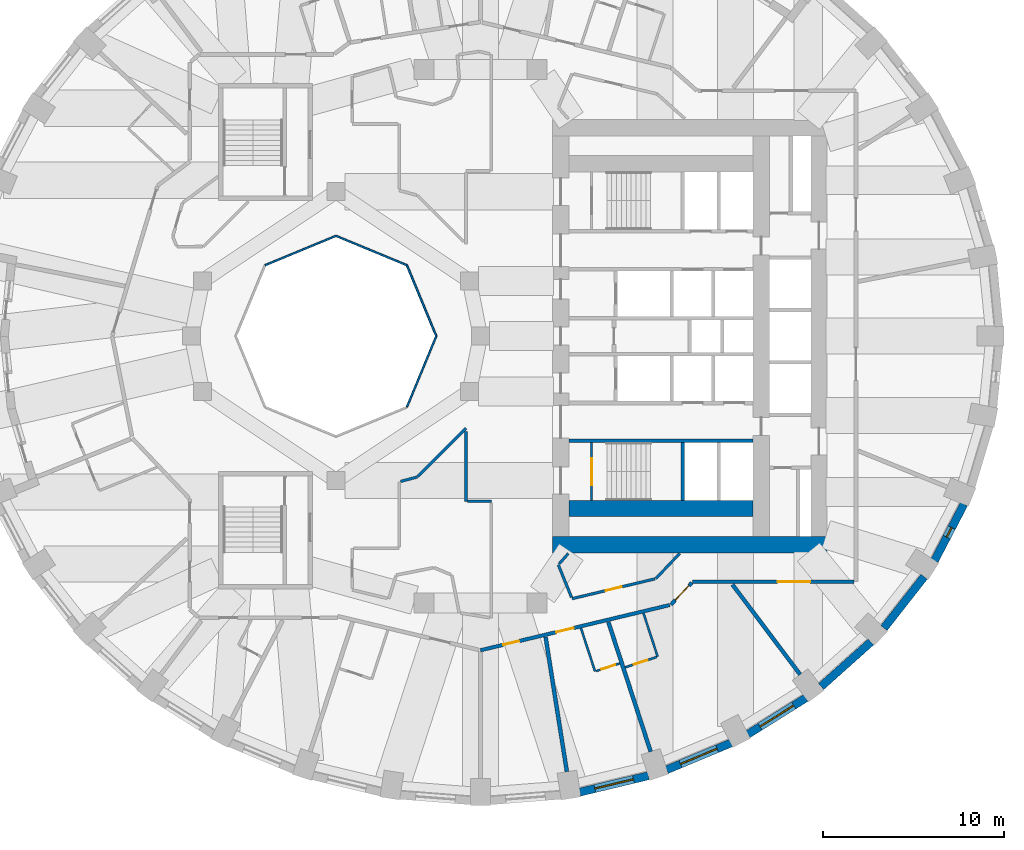
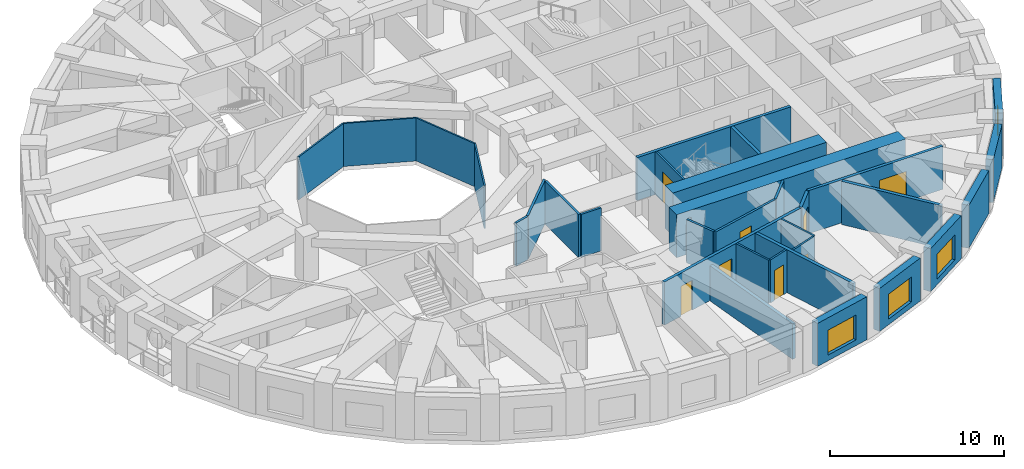
# One storey, part 5 of 14: 33 walls, 8 doors, 4 windows, 12 openings.
"""IFC4 building model written with IfcOpenShell, lengths in metres."""

from ifc_helpers import new_model, si_unit, direction, frame, frame_2d, origin, place, context, subcontext, project, spatial, rectangle, extrude, material, layer, layer_set, type_object, element, fill, save


model = new_model("IFC4")

# Units and contexts
model_context = context("Model", 3, precision=1e-05, world=origin(), true_north=direction((0.0, 1.0)))
body_context = subcontext(model_context, "Body", "Model", "MODEL_VIEW")
ifc_project = project(units=[si_unit("LENGTHUNIT", "METRE"), si_unit("AREAUNIT", "SQUARE_METRE"), si_unit("VOLUMEUNIT", "CUBIC_METRE"), si_unit("PLANEANGLEUNIT", "RADIAN"), si_unit("MASSUNIT", "GRAM", prefix="KILO")], contexts=[model_context])

# Site, building, storey
site_placement = place(None, origin())
site = spatial("IfcSite", under=ifc_project, at=site_placement, CompositionType="ELEMENT")
building_placement = place(site_placement, origin())
building = spatial("IfcBuilding", under=site, at=building_placement, Name="Taillehof Tower", CompositionType="ELEMENT")
storey_placement = place(building_placement, frame((0.0, 0.0, 21.699951171875)))
storey = spatial("IfcBuildingStorey", under=building, at=storey_placement, Name="L04", CompositionType="ELEMENT", Elevation=21.699951171875)

# Walls
ifc_material_1 = material(Name="Fire-resisting glass in steel frame", Category="steel")
ifc_layer_1 = layer(ifc_material_1, 0.10009765625)
ifc_layer_set_1 = layer_set([ifc_layer_1], Name="Atrium fire-resisting screen EI 60 100")
wall_type_1 = type_object("IfcWallType", Name="Atrium fire-resisting screen EI 60 100", PredefinedType="PARTITIONING", material=ifc_layer_set_1)
for number, where, z_axis, x_axis, name in (
    (1, (-2.44580078125, 0.0, 0.0), (0.0, 0.0, 1.0), (-0.382730523909, -0.923860025149, 0.0), "Atrium screen"),
    (2, (-11.92724609375, 3.92724609375, 0.0), (0.0, 0.0, 1.0), (0.923860025149, 0.382730523909, 0.0), "Atrium screen"),
    (3, (-8.0, 5.55419921875, 0.0), (0.0, 0.0, 1.0), (0.923860025149, -0.382730523909, 0.0), "Atrium screen"),
    (4, (-4.07275390625, 3.92724609375, 0.0), (0.0, 0.0, 1.0), (0.382730523909, -0.923860025149, 0.0), "Atrium screen"),
):
    element("IfcWall", number, at=place(storey_placement, frame(where, z_axis=z_axis, x_axis=x_axis)), inside=storey, type_object=wall_type_1, Name=name, PredefinedType="PARTITIONING", context=body_context, shape_type="SweptSolid", body=[
        extrude(rectangle(XDim=4.2509765625, YDim=0.10009765625, at=frame_2d((2.12548828125, 0.0))), origin(), (0.0, 0.0, 1.0), 3.02001953125),
    ])

# Wall, opening, window
ifc_material_2 = material(Name="Brick masonry", Category="masonry")
ifc_layer_2 = layer(ifc_material_2, 0.449951171875)
ifc_layer_set_2 = layer_set([ifc_layer_2], Name="Brick infill wall 450")
wall_type_2 = type_object("IfcWallType", Name="Brick infill wall 450", PredefinedType="SOLIDWALL", material=ifc_layer_set_2)
wall_1_placement = place(storey_placement, frame((5.50439453125, -25.260498046875, 0.0), z_axis=(0.0, 0.0, 1.0), x_axis=(0.972496561493, 0.232917233979, 0.0)))
wall_1 = element("IfcWall", 5, at=wall_1_placement, inside=storey, type_object=wall_type_2, Name="Brick wall L04 bay 29", PredefinedType="SOLIDWALL", context=body_context, shape_type="SweptSolid", body=[
    extrude(rectangle(XDim=3.910888671875, YDim=0.449951171875, at=frame_2d((1.95556640625, 0.0))), origin(), (0.0, 0.0, 1.0), 3.02001953125),
])
opening_1_placement = place(wall_1_placement, frame((0.855224609375, 0.0, 0.39990234375)))
opening_1 = element("IfcOpeningElement", 6, at=opening_1_placement, cuts=wall_1, Name="Opening W1", PredefinedType="OPENING", context=body_context, shape_type="SweptSolid", body=[
    extrude(rectangle(XDim=2.199951171875, YDim=1.75, at=frame_2d((1.10009765625, 0.875))), frame((0.0, 0.23486328125, 0.0), z_axis=(0.0, -1.0, 0.0), x_axis=(1.0, 0.0, 0.0)), (0.0, 0.0, 1.0), 0.469970703125),
])
ifc_material_3 = material(Name="Aluminium window frame with clear double glazing", Category="aluminium")
window_type_1 = type_object("IfcWindowType", Name="Deep-set window 2200x1750", PartitioningType="SINGLE_PANEL", PredefinedType="WINDOW", material=ifc_material_3)
window_1_placement = place(opening_1_placement, origin())
window_1 = element("IfcWindow", 7, at=window_1_placement, inside=storey, type_object=window_type_1, Name="W1", OverallHeight=1.75, OverallWidth=2.199951171875, PartitioningType="SINGLE_PANEL", PredefinedType="WINDOW", context=body_context, shape_type="SweptSolid", body=[
    extrude(rectangle(XDim=2.199951171875, YDim=1.75, at=frame_2d((1.10009765625, 0.875))), frame((0.0, 0.034912109375, 0.0), z_axis=(0.0, -1.0, 0.0), x_axis=(1.0, 0.0, 0.0)), (0.0, 0.0, 1.0), 0.06005859375),
])
fill(opening_1, window_1)

wall_2_placement = place(storey_placement, frame((10.3154296875, -24.02099609375, 0.0), z_axis=(0.0, 0.0, 1.0), x_axis=(0.923031964282, 0.384723267966, 0.0)))
wall_2 = element("IfcWall", 8, at=wall_2_placement, inside=storey, type_object=wall_type_2, Name="Brick wall L04 bay 30", PredefinedType="SOLIDWALL", context=body_context, shape_type="SweptSolid", body=[
    extrude(rectangle(XDim=3.8564453125, YDim=0.449951171875, at=frame_2d((1.92822265625, 0.0))), origin(), (0.0, 0.0, 1.0), 3.02001953125),
])
opening_2_placement = place(wall_2_placement, frame((0.828125, 0.0, 0.39990234375)))
opening_2 = element("IfcOpeningElement", 9, at=opening_2_placement, cuts=wall_2, Name="Opening W1", PredefinedType="OPENING", context=body_context, shape_type="SweptSolid", body=[
    extrude(rectangle(XDim=2.199951171875, YDim=1.75, at=frame_2d((1.10009765625, 0.875))), frame((0.0, 0.23486328125, 0.0), z_axis=(0.0, -1.0, 0.0), x_axis=(1.0, 0.0, 0.0)), (0.0, 0.0, 1.0), 0.469970703125),
])
window_2_placement = place(opening_2_placement, origin())
window_2 = element("IfcWindow", 10, at=window_2_placement, inside=storey, type_object=window_type_1, Name="W1", OverallHeight=1.75, OverallWidth=2.199951171875, PartitioningType="SINGLE_PANEL", PredefinedType="WINDOW", context=body_context, shape_type="SweptSolid", body=[
    extrude(rectangle(XDim=2.199951171875, YDim=1.75, at=frame_2d((1.10009765625, 0.875))), frame((0.0, 0.034912109375, 0.0), z_axis=(0.0, -1.0, 0.0), x_axis=(1.0, 0.0, 0.0)), (0.0, 0.0, 1.0), 0.06005859375),
])
fill(opening_2, window_2)

wall_3_placement = place(storey_placement, frame((14.81689453125, -22.050537109375, 0.0), z_axis=(0.0, 0.0, 1.0), x_axis=(0.847635480093, 0.530579016629, 0.0)))
wall_3 = element("IfcWall", 11, at=wall_3_placement, inside=storey, type_object=wall_type_2, Name="Brick wall L04 bay 31", PredefinedType="SOLIDWALL", context=body_context, shape_type="SweptSolid", body=[
    extrude(rectangle(XDim=3.782470703125, YDim=0.449951171875, at=frame_2d((1.89111328125, 0.0))), origin(), (0.0, 0.0, 1.0), 3.02001953125),
])
opening_3_placement = place(wall_3_placement, frame((0.791259765625, 0.0, 0.39990234375)))
opening_3 = element("IfcOpeningElement", 12, at=opening_3_placement, cuts=wall_3, Name="Opening W1", PredefinedType="OPENING", context=body_context, shape_type="SweptSolid", body=[
    extrude(rectangle(XDim=2.199951171875, YDim=1.75, at=frame_2d((1.10009765625, 0.875))), frame((0.0, 0.23486328125, 0.0), z_axis=(0.0, -1.0, 0.0), x_axis=(1.0, 0.0, 0.0)), (0.0, 0.0, 1.0), 0.469970703125),
])
window_3_placement = place(opening_3_placement, origin())
window_3 = element("IfcWindow", 13, at=window_3_placement, inside=storey, type_object=window_type_1, Name="W1", OverallHeight=1.75, OverallWidth=2.199951171875, PartitioningType="SINGLE_PANEL", PredefinedType="WINDOW", context=body_context, shape_type="SweptSolid", body=[
    extrude(rectangle(XDim=2.199951171875, YDim=1.75, at=frame_2d((1.10009765625, 0.875))), frame((0.0, 0.034912109375, 0.0), z_axis=(0.0, -1.0, 0.0), x_axis=(1.0, 0.0, 0.0)), (0.0, 0.0, 1.0), 0.06005859375),
])
fill(opening_3, window_3)

# Walls
wall_4_placement = place(storey_placement, frame((18.87060546875, -19.406982421875, 0.0), z_axis=(0.0, 0.0, 1.0), x_axis=(0.745526233716, 0.66647628228, 0.0)))
element("IfcWall", 14, at=wall_4_placement, inside=storey, type_object=wall_type_2, Name="Brick wall L04 bay 32", PredefinedType="SOLIDWALL", context=body_context, shape_type="SweptSolid", body=[
    extrude(rectangle(XDim=3.69677734375, YDim=0.449951171875, at=frame_2d((1.848388671875, 0.0))), origin(), (0.0, 0.0, 1.0), 3.02001953125),
])
wall_5_placement = place(storey_placement, frame((22.3515625, -16.169677734375, 0.0), z_axis=(0.0, 0.0, 1.0), x_axis=(0.616661975264, 0.787228053529, 0.0)))
element("IfcWall", 15, at=wall_5_placement, inside=storey, type_object=wall_type_2, Name="Brick wall L04 bay 33", PredefinedType="SOLIDWALL", context=body_context, shape_type="SweptSolid", body=[
    extrude(rectangle(XDim=3.60986328125, YDim=0.449951171875, at=frame_2d((1.804931640625, 0.0))), origin(), (0.0, 0.0, 1.0), 3.02001953125),
])

# Wall, opening, window
wall_6_placement = place(storey_placement, frame((25.152099609375, -12.436767578125, 0.0), z_axis=(0.0, 0.0, 1.0), x_axis=(0.462492775226, 0.886623050041, 0.0)))
wall_6 = element("IfcWall", 16, at=wall_6_placement, inside=storey, type_object=wall_type_2, Name="Brick wall L04 bay 34", PredefinedType="SOLIDWALL", context=body_context, shape_type="SweptSolid", body=[
    extrude(rectangle(XDim=3.531982421875, YDim=0.449951171875, at=frame_2d((1.76611328125, 0.0))), origin(), (0.0, 0.0, 1.0), 3.02001953125),
])
opening_4_placement = place(wall_6_placement, frame((1.466064453125, 0.0, 0.39990234375)))
opening_4 = element("IfcOpeningElement", 17, at=opening_4_placement, cuts=wall_6, Name="Opening W6", PredefinedType="OPENING", context=body_context, shape_type="SweptSolid", body=[
    extrude(rectangle(XDim=0.60009765625, YDim=1.75, at=frame_2d((0.300048828125, 0.875))), frame((0.0, 0.23486328125, 0.0), z_axis=(0.0, -1.0, 0.0), x_axis=(1.0, 0.0, 0.0)), (0.0, 0.0, 1.0), 0.469970703125),
])
ifc_material_4 = material(Name="Aluminium window frame with clear double glazing", Category="aluminium")
window_type_2 = type_object("IfcWindowType", Name="Slot window 600x1750", PartitioningType="SINGLE_PANEL", PredefinedType="WINDOW", material=ifc_material_4)
window_4_placement = place(opening_4_placement, origin())
window_4 = element("IfcWindow", 18, at=window_4_placement, inside=storey, type_object=window_type_2, Name="W6", OverallHeight=1.75, OverallWidth=0.60009765625, PartitioningType="SINGLE_PANEL", PredefinedType="WINDOW", context=body_context, shape_type="SweptSolid", body=[
    extrude(rectangle(XDim=0.60009765625, YDim=1.75, at=frame_2d((0.300048828125, 0.875))), frame((0.0, 0.034912109375, 0.0), z_axis=(0.0, -1.0, 0.0), x_axis=(1.0, 0.0, 0.0)), (0.0, 0.0, 1.0), 0.06005859375),
])
fill(opening_4, window_4)

# Wall, opening, door
ifc_material_5 = material(Name="Gypsum board on steel studs, two layers each side", Category="steel")
ifc_layer_3 = layer(ifc_material_5, 0.199951171875)
ifc_layer_set_3 = layer_set([ifc_layer_3], Name="Compartment wall corridor 200")
wall_type_3 = type_object("IfcWallType", Name="Compartment wall corridor 200", PredefinedType="PARTITIONING", material=ifc_layer_set_3)
wall_7_placement = place(storey_placement, frame((20.699951171875, -13.60009765625, 0.0), z_axis=(0.0, 0.0, 1.0), x_axis=(-1.0, 0.0, 0.0)))
wall_7 = element("IfcWall", 19, at=wall_7_placement, inside=storey, type_object=wall_type_3, Name="Compartment wall", PredefinedType="PARTITIONING", context=body_context, shape_type="SweptSolid", body=[
    extrude(rectangle(XDim=8.94140625, YDim=0.199951171875, at=frame_2d((4.470703125, 0.0))), origin(), (0.0, 0.0, 1.0), 3.02001953125),
])
opening_5_placement = place(wall_7_placement, frame((2.436279296875, 0.0, 0.0)))
opening_5 = element("IfcOpeningElement", 20, at=opening_5_placement, cuts=wall_7, Name="Opening D0469", PredefinedType="OPENING", context=body_context, shape_type="SweptSolid", body=[
    extrude(rectangle(XDim=1.800048828125, YDim=2.10009765625, at=frame_2d((0.89990234375, 1.050048828125))), frame((0.0, 0.10986328125, 0.0), z_axis=(0.0, -1.0, 0.0), x_axis=(1.0, 0.0, 0.0)), (0.0, 0.0, 1.0), 0.219970703125),
])
ifc_material_6 = material(Name="Timber door leaf in steel frame", Category="steel")
door_type_1 = type_object("IfcDoorType", Name="Lounge and meeting room double door EI 30 1800 x 2100", OperationType="SINGLE_SWING_LEFT", PredefinedType="DOOR", material=ifc_material_6)
door_1_placement = place(opening_5_placement, origin())
door_1 = element("IfcDoor", 21, at=door_1_placement, inside=storey, type_object=door_type_1, Name="D0469", OperationType="DOUBLE_DOOR_SINGLE_SWING", OverallHeight=2.10009765625, OverallWidth=1.800048828125, PredefinedType="DOOR", context=body_context, shape_type="SweptSolid", body=[
    extrude(rectangle(XDim=1.800048828125, YDim=2.10009765625, at=frame_2d((0.89990234375, 1.050048828125))), frame((0.0, 0.02490234375, 0.0), z_axis=(0.0, -1.0, 0.0), x_axis=(1.0, 0.0, 0.0)), (0.0, 0.0, 1.0), 0.050048828125),
])
fill(opening_5, door_1)

wall_8_placement = place(storey_placement, frame((11.703857421875, -13.65771484375, 0.0), z_axis=(0.0, 0.0, 1.0), x_axis=(-0.687768795377, -0.725929806597, 0.0)))
wall_8 = element("IfcWall", 22, at=wall_8_placement, inside=storey, type_object=wall_type_3, Name="Compartment wall", PredefinedType="PARTITIONING", context=body_context, shape_type="SweptSolid", body=[
    extrude(rectangle(XDim=1.6826171875, YDim=0.199951171875, at=frame_2d((0.84130859375, 0.0))), origin(), (0.0, 0.0, 1.0), 3.02001953125),
])
opening_6_placement = place(wall_8_placement, frame((0.219970703125, 0.0, 0.0)))
opening_6 = element("IfcOpeningElement", 23, at=opening_6_placement, cuts=wall_8, Name="Opening D0467", PredefinedType="OPENING", context=body_context, shape_type="SweptSolid", body=[
    extrude(rectangle(XDim=1.10009765625, YDim=2.10009765625, at=frame_2d((0.550048828125, 1.050048828125))), frame((0.0, 0.10986328125, 0.0), z_axis=(0.0, -1.0, 0.0), x_axis=(1.0, 0.0, 0.0)), (0.0, 0.0, 1.0), 0.219970703125),
])
ifc_material_7 = material(Name="Timber door leaf in steel frame", Category="steel")
door_type_2 = type_object("IfcDoorType", Name="Suite entrance door EI 30 1100 x 2100", OperationType="SINGLE_SWING_LEFT", PredefinedType="DOOR", material=ifc_material_7)
door_2_placement = place(opening_6_placement, origin())
door_2 = element("IfcDoor", 24, at=door_2_placement, inside=storey, type_object=door_type_2, Name="D0467", OperationType="SINGLE_SWING_LEFT", OverallHeight=2.10009765625, OverallWidth=1.10009765625, PredefinedType="DOOR", context=body_context, shape_type="SweptSolid", body=[
    extrude(rectangle(XDim=1.10009765625, YDim=2.10009765625, at=frame_2d((0.550048828125, 1.050048828125))), frame((0.0, 0.02490234375, 0.0), z_axis=(0.0, -1.0, 0.0), x_axis=(1.0, 0.0, 0.0)), (0.0, 0.0, 1.0), 0.050048828125),
])
fill(opening_6, door_2)

# Wall, openings, doors
wall_9_placement = place(storey_placement, frame((10.488037109375, -14.89306640625, 0.0), z_axis=(0.0, 0.0, 1.0), x_axis=(-0.972603489924, -0.23247032367, 0.0)))
wall_9 = element("IfcWall", 25, at=wall_9_placement, inside=storey, type_object=wall_type_3, Name="Compartment wall", PredefinedType="PARTITIONING", context=body_context, shape_type="SweptSolid", body=[
    extrude(rectangle(XDim=10.783447265625, YDim=0.199951171875, at=frame_2d((5.3916015625, 0.0))), origin(), (0.0, 0.0, 1.0), 3.02001953125),
])
opening_7_placement = place(wall_9_placement, frame((8.59033203125, 0.0, 0.0)))
opening_7 = element("IfcOpeningElement", 26, at=opening_7_placement, cuts=wall_9, Name="Opening D0464", PredefinedType="OPENING", context=body_context, shape_type="SweptSolid", body=[
    extrude(rectangle(XDim=0.89990234375, YDim=2.10009765625, at=frame_2d((0.449951171875, 1.050048828125))), frame((0.0, 0.10986328125, 0.0), z_axis=(0.0, -1.0, 0.0), x_axis=(1.0, 0.0, 0.0)), (0.0, 0.0, 1.0), 0.219970703125),
])
opening_8_placement = place(wall_9_placement, frame((5.46240234375, 0.0, 0.0)))
opening_8 = element("IfcOpeningElement", 27, at=opening_8_placement, cuts=wall_9, Name="Opening D0465", PredefinedType="OPENING", context=body_context, shape_type="SweptSolid", body=[
    extrude(rectangle(XDim=1.0, YDim=2.10009765625, at=frame_2d((0.5, 1.050048828125))), frame((0.0, 0.10986328125, 0.0), z_axis=(0.0, -1.0, 0.0), x_axis=(1.0, 0.0, 0.0)), (0.0, 0.0, 1.0), 0.219970703125),
])
ifc_material_8 = material(Name="Timber door leaf in steel frame", Category="steel")
door_type_3 = type_object("IfcDoorType", Name="Guest room door EI 30 1000 x 2100", OperationType="SINGLE_SWING_LEFT", PredefinedType="DOOR", material=ifc_material_8)
door_3_placement = place(opening_8_placement, origin())
door_3 = element("IfcDoor", 28, at=door_3_placement, inside=storey, type_object=door_type_3, Name="D0465", OperationType="SINGLE_SWING_LEFT", OverallHeight=2.10009765625, OverallWidth=1.0, PredefinedType="DOOR", context=body_context, shape_type="SweptSolid", body=[
    extrude(rectangle(XDim=1.0, YDim=2.10009765625, at=frame_2d((0.5, 1.050048828125))), frame((0.0, 0.02490234375, 0.0), z_axis=(0.0, -1.0, 0.0), x_axis=(1.0, 0.0, 0.0)), (0.0, 0.0, 1.0), 0.050048828125),
])
fill(opening_8, door_3)
ifc_material_9 = material(Name="Timber door leaf in steel frame", Category="steel")
door_type_4 = type_object("IfcDoorType", Name="Service room door EI 30 900 x 2100", OperationType="SINGLE_SWING_LEFT", PredefinedType="DOOR", material=ifc_material_9)
door_4_placement = place(opening_7_placement, origin())
door_4 = element("IfcDoor", 29, at=door_4_placement, inside=storey, type_object=door_type_4, Name="D0464", OperationType="SINGLE_SWING_RIGHT", OverallHeight=2.10009765625, OverallWidth=0.89990234375, PredefinedType="DOOR", context=body_context, shape_type="SweptSolid", body=[
    extrude(rectangle(XDim=0.89990234375, YDim=2.10009765625, at=frame_2d((0.449951171875, 1.050048828125))), frame((0.0, 0.02490234375, 0.0), z_axis=(0.0, -1.0, 0.0), x_axis=(1.0, 0.0, 0.0)), (0.0, 0.0, 1.0), 0.050048828125),
])
fill(opening_7, door_4)

# Walls
ifc_material_10 = material(Name="Gypsum board on double steel studs with mineral wool", Category="steel")
ifc_layer_4 = layer(ifc_material_10, 0.219970703125)
ifc_layer_set_4 = layer_set([ifc_layer_4], Name="Compartment wall guest room 220")
wall_type_4 = type_object("IfcWallType", Name="Compartment wall guest room 220", PredefinedType="PARTITIONING", material=ifc_layer_set_4)
wall_10_placement = place(storey_placement, frame((4.788330078125, -24.12548828125, 0.0), z_axis=(0.0, 0.0, 1.0), x_axis=(-0.156131781396, 0.987736233434, 0.0)))
element("IfcWall", 30, at=wall_10_placement, inside=storey, type_object=wall_type_4, Name="Compartment wall", PredefinedType="PARTITIONING", context=body_context, shape_type="SweptSolid", body=[
    extrude(rectangle(XDim=7.557373046875, YDim=0.219970703125, at=frame_2d((3.77880859375, 0.0))), origin(), (0.0, 0.0, 1.0), 2.469970703125),
])
wall_11_placement = place(storey_placement, frame((9.429443359375, -23.01416015625, 0.0), z_axis=(0.0, 0.0, 1.0), x_axis=(-0.310261176215, 0.950651356983, 0.0)))
element("IfcWall", 31, at=wall_11_placement, inside=storey, type_object=wall_type_4, Name="Compartment wall", PredefinedType="PARTITIONING", context=body_context, shape_type="SweptSolid", body=[
    extrude(rectangle(XDim=7.557373046875, YDim=0.219970703125, at=frame_2d((3.77880859375, 0.0))), origin(), (0.0, 0.0, 1.0), 3.02001953125),
])
wall_12_placement = place(storey_placement, frame((17.707763671875, -18.7431640625, 0.0), z_axis=(0.0, 0.0, 1.0), x_axis=(-0.601177883261, 0.799115231164, 0.0)))
element("IfcWall", 32, at=wall_12_placement, inside=storey, type_object=wall_type_4, Name="Compartment wall", PredefinedType="PARTITIONING", context=body_context, shape_type="SweptSolid", body=[
    extrude(rectangle(XDim=6.231201171875, YDim=0.219970703125, at=frame_2d((3.11572265625, 0.0))), origin(), (0.0, 0.0, 1.0), 3.02001953125),
])
ifc_material_11 = material(Name="Gypsum board on steel studs, two layers each side", Category="steel")
ifc_layer_5 = layer(ifc_material_11, 0.14990234375)
ifc_layer_set_5 = layer_set([ifc_layer_5], Name="Compartment wall service room 150")
wall_type_5 = type_object("IfcWallType", Name="Compartment wall service room 150", PredefinedType="PARTITIONING", material=ifc_layer_set_5)
wall_13_placement = place(storey_placement, frame((-4.4228515625, -8.048583984375, 0.0), z_axis=(0.0, 0.0, 1.0), x_axis=(0.96590031435, 0.25891423819, 0.0)))
element("IfcWall", 33, at=wall_13_placement, inside=storey, type_object=wall_type_5, Name="Compartment wall", PredefinedType="PARTITIONING", context=body_context, shape_type="SweptSolid", body=[
    extrude(rectangle(XDim=0.958984375, YDim=0.14990234375, at=frame_2d((0.4794921875, 0.0))), origin(), (0.0, 0.0, 1.0), 3.02001953125),
])
wall_14_placement = place(storey_placement, frame((-3.46826171875, -7.77197265625, 0.0), z_axis=(0.0, 0.0, 1.0), x_axis=(0.707106781187, 0.707106781187, 0.0)))
element("IfcWall", 34, at=wall_14_placement, inside=storey, type_object=wall_type_5, Name="Compartment wall", PredefinedType="PARTITIONING", context=body_context, shape_type="SweptSolid", body=[
    extrude(rectangle(XDim=3.7734375, YDim=0.14990234375, at=frame_2d((1.88671875, 0.0))), origin(), (0.0, 0.0, 1.0), 3.02001953125),
])
wall_15_placement = place(storey_placement, frame((-0.800048828125, -5.283935546875, 0.0), z_axis=(0.0, 0.0, 1.0), x_axis=(0.0, -1.0, 0.0)))
element("IfcWall", 35, at=wall_15_placement, inside=storey, type_object=wall_type_5, Name="Compartment wall", PredefinedType="PARTITIONING", context=body_context, shape_type="SweptSolid", body=[
    extrude(rectangle(XDim=3.865966796875, YDim=0.14990234375, at=frame_2d((1.93310546875, 0.0))), origin(), (0.0, 0.0, 1.0), 3.02001953125),
])
wall_16_placement = place(storey_placement, frame((-0.719970703125, -9.14990234375, 0.0), z_axis=(0.0, 0.0, 1.0), x_axis=(1.0, 0.0, 0.0)))
element("IfcWall", 36, at=wall_16_placement, inside=storey, type_object=wall_type_5, Name="Compartment wall", PredefinedType="PARTITIONING", context=body_context, shape_type="SweptSolid", body=[
    extrude(rectangle(XDim=1.320068359375, YDim=0.14990234375, at=frame_2d((0.66015625, 0.0))), origin(), (0.0, 0.0, 1.0), 3.02001953125),
])
wall_17_placement = place(storey_placement, frame((11.02978515625, -12.042724609375, 0.0), z_axis=(0.0, 0.0, 1.0), x_axis=(-0.687734044261, -0.725962729322, 0.0)))
element("IfcWall", 37, at=wall_17_placement, inside=storey, type_object=wall_type_5, Name="Compartment wall", PredefinedType="PARTITIONING", context=body_context, shape_type="SweptSolid", body=[
    extrude(rectangle(XDim=1.916015625, YDim=0.14990234375, at=frame_2d((0.9580078125, 0.0))), origin(), (0.0, 0.0, 1.0), 3.02001953125),
])

# Wall, opening, door
wall_18_placement = place(storey_placement, frame((9.673095703125, -13.44287109375, 0.0), z_axis=(0.0, 0.0, 1.0), x_axis=(-0.972603013932, -0.232472315103, 0.0)))
wall_18 = element("IfcWall", 38, at=wall_18_placement, inside=storey, type_object=wall_type_5, Name="Compartment wall", PredefinedType="PARTITIONING", context=body_context, shape_type="SweptSolid", body=[
    extrude(rectangle(XDim=4.726806640625, YDim=0.14990234375, at=frame_2d((2.36328125, 0.0))), origin(), (0.0, 0.0, 1.0), 3.02001953125),
])
opening_9_placement = place(wall_18_placement, frame((1.91357421875, 0.0, 0.0)))
opening_9 = element("IfcOpeningElement", 39, at=opening_9_placement, cuts=wall_18, Name="Opening D0477", PredefinedType="OPENING", context=body_context, shape_type="SweptSolid", body=[
    extrude(rectangle(XDim=0.89990234375, YDim=2.10009765625, at=frame_2d((0.449951171875, 1.050048828125))), frame((0.0, 0.0849609375, 0.0), z_axis=(0.0, -1.0, 0.0), x_axis=(1.0, 0.0, 0.0)), (0.0, 0.0, 1.0), 0.169921875),
])
door_5_placement = place(opening_9_placement, origin())
door_5 = element("IfcDoor", 40, at=door_5_placement, inside=storey, type_object=door_type_4, Name="D0477", OperationType="SINGLE_SWING_LEFT", OverallHeight=2.10009765625, OverallWidth=0.89990234375, PredefinedType="DOOR", context=body_context, shape_type="SweptSolid", body=[
    extrude(rectangle(XDim=0.89990234375, YDim=2.10009765625, at=frame_2d((0.449951171875, 1.050048828125))), frame((0.0, 0.02490234375, 0.0), z_axis=(0.0, -1.0, 0.0), x_axis=(1.0, 0.0, 0.0)), (0.0, 0.0, 1.0), 0.050048828125),
])
fill(opening_9, door_5)

# Walls
wall_19_placement = place(storey_placement, frame((5.04541015625, -14.467529296875, 0.0), z_axis=(0.0, 0.0, 1.0), x_axis=(-0.376889538578, 0.926258212223, 0.0)))
element("IfcWall", 41, at=wall_19_placement, inside=storey, type_object=wall_type_5, Name="Compartment wall", PredefinedType="PARTITIONING", context=body_context, shape_type="SweptSolid", body=[
    extrude(rectangle(XDim=1.942138671875, YDim=0.14990234375, at=frame_2d((0.97119140625, 0.0))), origin(), (0.0, 0.0, 1.0), 3.02001953125),
])
wall_20_placement = place(storey_placement, frame((4.35302734375, -12.623291015625, 0.0), z_axis=(0.0, 0.0, 1.0), x_axis=(0.660265480509, 0.751032286422, 0.0)))
element("IfcWall", 42, at=wall_20_placement, inside=storey, type_object=wall_type_5, Name="Compartment wall", PredefinedType="PARTITIONING", context=body_context, shape_type="SweptSolid", body=[
    extrude(rectangle(XDim=0.774658203125, YDim=0.14990234375, at=frame_2d((0.38720703125, 0.0))), origin(), (0.0, 0.0, 1.0), 2.570068359375),
])
ifc_material_12 = material(Name="Concrete C80/95", Category="concrete")
ifc_layer_6 = layer(ifc_material_12, 0.89990234375)
ifc_layer_set_6 = layer_set([ifc_layer_6], Name="Core wall C80/95 900")
wall_type_6 = type_object("IfcWallType", Name="Core wall C80/95 900", PredefinedType="SHEAR", material=ifc_layer_set_6)
wall_21_placement = place(storey_placement, frame((4.0, -11.550048828125, 0.0), z_axis=(0.0, 0.0, 1.0), x_axis=(1.0, 0.0, 0.0)))
element("IfcWall", 43, at=wall_21_placement, inside=storey, type_object=wall_type_6, Name="Core wall CW04", PredefinedType="SHEAR", context=body_context, shape_type="SweptSolid", body=[
    extrude(rectangle(XDim=15.199951171875, YDim=0.89990234375, at=frame_2d((7.60009765625, 0.0))), origin(), (0.0, 0.0, 1.0), 3.02001953125),
])
wall_22_placement = place(storey_placement, frame((4.89990234375, -9.550048828125, 0.0), z_axis=(0.0, 0.0, 1.0), x_axis=(1.0, 0.0, 0.0)))
element("IfcWall", 44, at=wall_22_placement, inside=storey, type_object=wall_type_6, Name="Core wall CW07", PredefinedType="SHEAR", context=body_context, shape_type="SweptSolid", body=[
    extrude(rectangle(XDim=10.2001953125, YDim=0.89990234375, at=frame_2d((5.10009765625, 0.0))), origin(), (0.0, 0.0, 1.0), 3.02001953125),
])
ifc_material_13 = material(Name="Gypsum board on steel studs, moisture resistant", Category="steel")
ifc_layer_7 = layer(ifc_material_13, 0.1201171875)
ifc_layer_set_7 = layer_set([ifc_layer_7], Name="En-suite wall 120")
wall_type_7 = type_object("IfcWallType", Name="En-suite wall 120", PredefinedType="PARTITIONING", material=ifc_layer_set_7)
wall_23_placement = place(storey_placement, frame((5.56640625, -16.17236328125, 0.0), z_axis=(0.0, 0.0, 1.0), x_axis=(0.310159281599, -0.950684605975, 0.0)))
element("IfcWall", 45, at=wall_23_placement, inside=storey, type_object=wall_type_7, Name="En-suite wall", PredefinedType="PARTITIONING", context=body_context, shape_type="SweptSolid", body=[
    extrude(rectangle(XDim=2.525146484375, YDim=0.1201171875, at=frame_2d((1.2626953125, 0.0))), origin(), (0.0, 0.0, 1.0), 3.02001953125),
])
wall_24_placement = place(storey_placement, frame((9.0302734375, -15.344482421875, 0.0), z_axis=(0.0, 0.0, 1.0), x_axis=(0.310275804943, -0.950646582525, 0.0)))
element("IfcWall", 46, at=wall_24_placement, inside=storey, type_object=wall_type_7, Name="En-suite wall", PredefinedType="PARTITIONING", context=body_context, shape_type="SweptSolid", body=[
    extrude(rectangle(XDim=2.53759765625, YDim=0.1201171875, at=frame_2d((1.268798828125, 0.0))), origin(), (0.0, 0.0, 1.0), 3.02001953125),
])

# Wall, opening, door
wall_25_placement = place(storey_placement, frame((6.40673828125, -18.554443359375, 0.0), z_axis=(0.0, 0.0, 1.0), x_axis=(0.950628893115, 0.310329997864, 0.0)))
wall_25 = element("IfcWall", 47, at=wall_25_placement, inside=storey, type_object=wall_type_7, Name="En-suite wall", PredefinedType="PARTITIONING", context=body_context, shape_type="SweptSolid", body=[
    extrude(rectangle(XDim=1.3798828125, YDim=0.1201171875, at=frame_2d((0.68994140625, 0.0))), origin(), (0.0, 0.0, 1.0), 3.02001953125),
])
opening_10_placement = place(wall_25_placement, frame((0.31494140625, 0.0, 0.0)))
opening_10 = element("IfcOpeningElement", 48, at=opening_10_placement, cuts=wall_25, Name="Opening D0466", PredefinedType="OPENING", context=body_context, shape_type="SweptSolid", body=[
    extrude(rectangle(XDim=0.800048828125, YDim=2.10009765625, at=frame_2d((0.39990234375, 1.050048828125))), frame((0.0, 0.070068359375, 0.0), z_axis=(0.0, -1.0, 0.0), x_axis=(1.0, 0.0, 0.0)), (0.0, 0.0, 1.0), 0.14013671875),
])
ifc_material_14 = material(Name="Timber door leaf in steel frame", Category="steel")
door_type_5 = type_object("IfcDoorType", Name="En-suite door 800 x 2100", OperationType="SINGLE_SWING_LEFT", PredefinedType="DOOR", material=ifc_material_14)
door_6_placement = place(opening_10_placement, origin())
door_6 = element("IfcDoor", 49, at=door_6_placement, inside=storey, type_object=door_type_5, Name="D0466", OperationType="SINGLE_SWING_LEFT", OverallHeight=2.10009765625, OverallWidth=0.800048828125, PredefinedType="DOOR", context=body_context, shape_type="SweptSolid", body=[
    extrude(rectangle(XDim=0.800048828125, YDim=2.10009765625, at=frame_2d((0.39990234375, 1.050048828125))), frame((0.0, 0.02490234375, 0.0), z_axis=(0.0, -1.0, 0.0), x_axis=(1.0, 0.0, 0.0)), (0.0, 0.0, 1.0), 0.050048828125),
])
fill(opening_10, door_6)

wall_26_placement = place(storey_placement, frame((9.760498046875, -17.775146484375, 0.0), z_axis=(0.0, 0.0, 1.0), x_axis=(-0.950599833202, -0.310419002506, 0.0)))
wall_26 = element("IfcWall", 50, at=wall_26_placement, inside=storey, type_object=wall_type_7, Name="En-suite wall", PredefinedType="PARTITIONING", context=body_context, shape_type="SweptSolid", body=[
    extrude(rectangle(XDim=1.830078125, YDim=0.1201171875, at=frame_2d((0.9150390625, 0.0))), origin(), (0.0, 0.0, 1.0), 3.02001953125),
])
opening_11_placement = place(wall_26_placement, frame((0.5400390625, 0.0, 0.0)))
opening_11 = element("IfcOpeningElement", 51, at=opening_11_placement, cuts=wall_26, Name="Opening D0468", PredefinedType="OPENING", context=body_context, shape_type="SweptSolid", body=[
    extrude(rectangle(XDim=0.800048828125, YDim=2.10009765625, at=frame_2d((0.39990234375, 1.050048828125))), frame((0.0, 0.070068359375, 0.0), z_axis=(0.0, -1.0, 0.0), x_axis=(1.0, 0.0, 0.0)), (0.0, 0.0, 1.0), 0.14013671875),
])
door_7_placement = place(opening_11_placement, origin())
door_7 = element("IfcDoor", 52, at=door_7_placement, inside=storey, type_object=door_type_5, Name="D0468", OperationType="SINGLE_SWING_LEFT", OverallHeight=2.10009765625, OverallWidth=0.800048828125, PredefinedType="DOOR", context=body_context, shape_type="SweptSolid", body=[
    extrude(rectangle(XDim=0.800048828125, YDim=2.10009765625, at=frame_2d((0.39990234375, 1.050048828125))), frame((0.0, 0.02490234375, 0.0), z_axis=(0.0, -1.0, 0.0), x_axis=(1.0, 0.0, 0.0)), (0.0, 0.0, 1.0), 0.050048828125),
])
fill(opening_11, door_7)

# Walls
ifc_material_15 = material(Name="Concrete C50/60", Category="concrete")
ifc_layer_8 = layer(ifc_material_15, 0.199951171875)
ifc_layer_set_8 = layer_set([ifc_layer_8], Name="Shaft wall C50/60 200")
wall_type_8 = type_object("IfcWallType", Name="Shaft wall C50/60 200", PredefinedType="SHEAR", material=ifc_layer_set_8)
wall_27_placement = place(storey_placement, frame((4.89990234375, -5.800048828125, 0.0), z_axis=(0.0, 0.0, 1.0), x_axis=(1.0, 0.0, 0.0)))
element("IfcWall", 53, at=wall_27_placement, inside=storey, type_object=wall_type_8, Name="Shaft wall SW", PredefinedType="SHEAR", context=body_context, shape_type="SweptSolid", body=[
    extrude(rectangle(XDim=10.2001953125, YDim=0.199951171875, at=frame_2d((5.10009765625, 0.0))), origin(), (0.0, 0.0, 1.0), 3.02001953125),
])
wall_28_placement = place(storey_placement, frame((11.199951171875, -9.10009765625, 0.0), z_axis=(0.0, 0.0, 1.0), x_axis=(0.0, 1.0, 0.0)))
element("IfcWall", 54, at=wall_28_placement, inside=storey, type_object=wall_type_8, Name="Shaft wall SW", PredefinedType="SHEAR", context=body_context, shape_type="SweptSolid", body=[
    extrude(rectangle(XDim=3.2001953125, YDim=0.199951171875, at=frame_2d((1.60009765625, 0.0))), origin(), (0.0, 0.0, 1.0), 3.02001953125),
])

# Wall, opening, door
ifc_material_16 = material(Name="Concrete C50/60", Category="concrete")
ifc_layer_9 = layer(ifc_material_16, 0.1201171875)
ifc_layer_set_9 = layer_set([ifc_layer_9], Name="Stair lobby wall C50/60 120")
wall_type_9 = type_object("IfcWallType", Name="Stair lobby wall C50/60 120", PredefinedType="SHEAR", material=ifc_layer_set_9)
wall_29_placement = place(storey_placement, frame((6.159912109375, -9.10009765625, 0.0), z_axis=(0.0, 0.0, 1.0), x_axis=(0.0, 1.0, 0.0)))
wall_29 = element("IfcWall", 55, at=wall_29_placement, inside=storey, type_object=wall_type_9, Name="Compartment wall SW", PredefinedType="SHEAR", context=body_context, shape_type="SweptSolid", body=[
    extrude(rectangle(XDim=3.2001953125, YDim=0.1201171875, at=frame_2d((1.60009765625, 0.0))), origin(), (0.0, 0.0, 1.0), 3.02001953125),
])
opening_12_placement = place(wall_29_placement, frame((0.85009765625, 0.0, 0.0)))
opening_12 = element("IfcOpeningElement", 56, at=opening_12_placement, cuts=wall_29, Name="Opening D0411", PredefinedType="OPENING", context=body_context, shape_type="SweptSolid", body=[
    extrude(rectangle(XDim=1.5, YDim=2.10009765625, at=frame_2d((0.75, 1.050048828125))), frame((0.0, 0.070068359375, 0.0), z_axis=(0.0, -1.0, 0.0), x_axis=(1.0, 0.0, 0.0)), (0.0, 0.0, 1.0), 0.14013671875),
])
ifc_material_17 = material(Name="Steel-faced fire door", Category="steel")
door_type_6 = type_object("IfcDoorType", Name="Stair door 1500x2100", OperationType="DOUBLE_DOOR_SINGLE_SWING", PredefinedType="DOOR", material=ifc_material_17)
door_8_placement = place(opening_12_placement, origin())
door_8 = element("IfcDoor", 57, at=door_8_placement, inside=storey, type_object=door_type_6, Name="Stair lobby door S2", OperationType="DOUBLE_DOOR_SINGLE_SWING", OverallHeight=2.10009765625, OverallWidth=1.5, PredefinedType="DOOR", context=body_context, shape_type="SweptSolid", body=[
    extrude(rectangle(XDim=1.5, YDim=2.10009765625, at=frame_2d((0.75, 1.050048828125))), frame((0.0, 0.02490234375, 0.0), z_axis=(0.0, -1.0, 0.0), x_axis=(1.0, 0.0, 0.0)), (0.0, 0.0, 1.0), 0.050048828125),
])
fill(opening_12, door_8)

save(model, "model.ifc")
